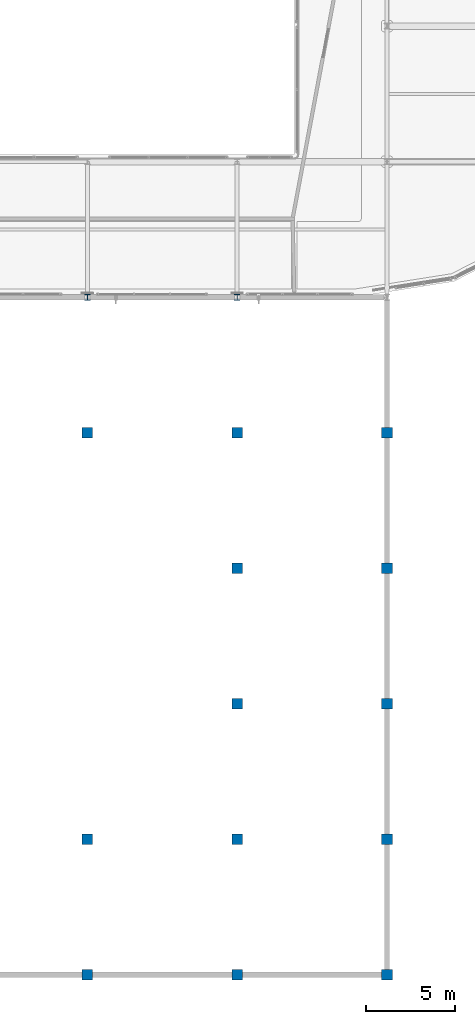
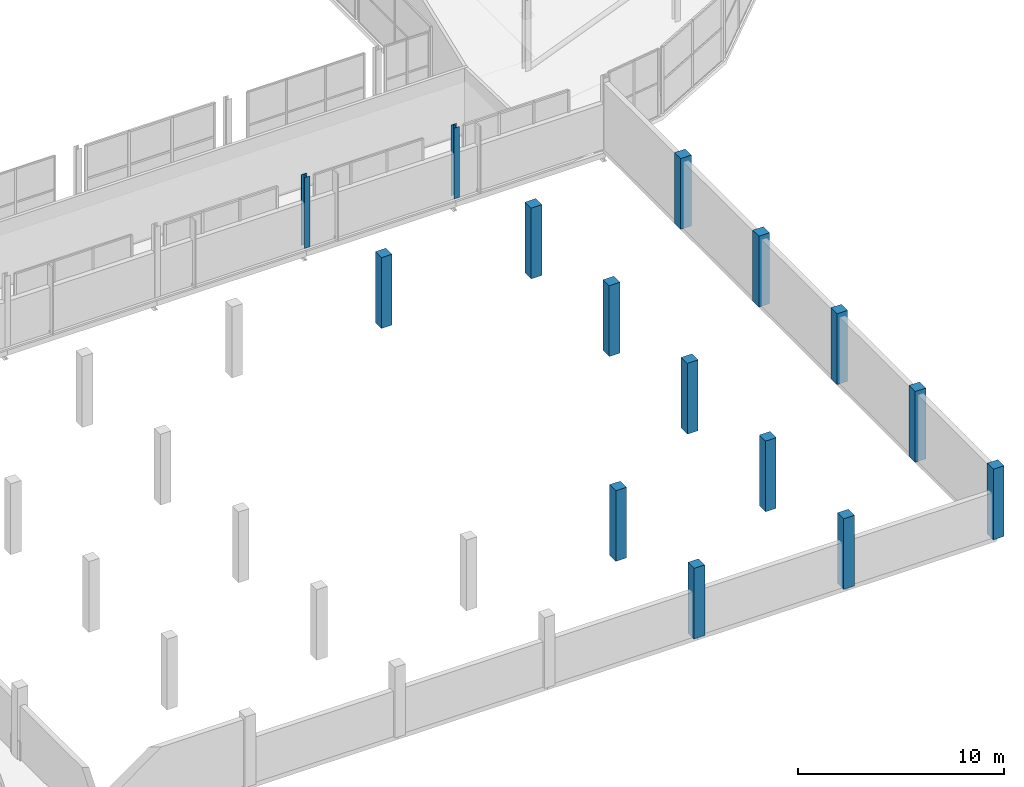
# One storey, part 10 of 151: 15 columns.
"""IFC4 building model written with IfcOpenShell, lengths in metres."""

from ifc_helpers import new_model, si_unit, direction, frame, origin, origin_2d, place, context, subcontext, project, spatial, rectangle, i_section, extrude, material, material_profile, profile_set, type_object, element, save


model = new_model("IFC4")

# Units and contexts
model_context = context("Model", 3, precision=1e-05, world=origin(), true_north=direction((0.0, 1.0)))
body_context = subcontext(model_context, "Body", "Model", "MODEL_VIEW")
ifc_project = project(units=[si_unit("LENGTHUNIT", "METRE"), si_unit("AREAUNIT", "SQUARE_METRE"), si_unit("VOLUMEUNIT", "CUBIC_METRE"), si_unit("PLANEANGLEUNIT", "RADIAN"), si_unit("MASSUNIT", "GRAM", prefix="KILO")], contexts=[model_context])

# Site, building, storey
site_placement = place(None, origin())
site = spatial("IfcSite", under=ifc_project, at=site_placement, CompositionType="ELEMENT")
building_placement = place(site_placement, origin())
building = spatial("IfcBuilding", under=site, at=building_placement, Name="Zuvorla Pavilion Media Centre", CompositionType="ELEMENT")
storey_placement = place(building_placement, frame((0.0, 0.0, 13.800048828125)))
storey = spatial("IfcBuildingStorey", under=building, at=storey_placement, Name="L03", CompositionType="ELEMENT", Elevation=13.800048828125)

# Columns
ifc_material_1 = material(Name="Concrete C40/50", Category="concrete")
ifc_material_profile_1 = material_profile(ifc_material_1, rectangle(XDim=0.60009765625, YDim=0.60009765625, at=origin_2d()), Name="RC 600x600")
ifc_profile_set_1 = profile_set([ifc_material_profile_1], Name="Concrete C40/50")
column_type_1 = type_object("IfcColumnType", Name="COL-RC600", PredefinedType="COLUMN", material=ifc_profile_set_1)
for number, where, z_axis, x_axis, name in (
    (1, (142.39990234375, 6.0, 0.0), (0.0, 0.0, 1.0), (1.0, 0.0, 0.0), "L03 column C03 84"),
    (2, (150.800048828125, 6.0, 0.0), (0.0, 0.0, 1.0), (1.0, 0.0, 0.0), "L03 column C03 89"),
    (3, (159.199951171875, 6.0, 0.0), (0.0, 0.0, 1.0), (1.0, 0.0, 0.0), "L03 column C03 94"),
    (4, (142.39990234375, 13.60009765625, 0.0), (0.0, 0.0, 1.0), (1.0, 0.0, 0.0), "L03 column C03 182"),
    (5, (150.800048828125, 13.60009765625, 0.0), (0.0, 0.0, 1.0), (1.0, 0.0, 0.0), "L03 column C03 187"),
    (6, (159.199951171875, 13.60009765625, 0.0), (0.0, 0.0, 1.0), (1.0, 0.0, 0.0), "L03 column C03 192"),
    (7, (150.800048828125, 21.199951171875, 0.0), (0.0, 0.0, 1.0), (1.0, 0.0, 0.0), "L03 column C03 278"),
    (8, (159.199951171875, 21.199951171875, 0.0), (0.0, 0.0, 1.0), (1.0, 0.0, 0.0), "L03 column C03 283"),
    (9, (150.800048828125, 28.800048828125, 0.0), (0.0, 0.0, 1.0), (1.0, 0.0, 0.0), "L03 column C03 373"),
    (10, (159.199951171875, 28.800048828125, 0.0), (0.0, 0.0, 1.0), (1.0, 0.0, 0.0), "L03 column C03 378"),
    (11, (142.39990234375, 36.39990234375, 0.0), (0.0, 0.0, 1.0), (1.0, 0.0, 0.0), "L03 column C03 468"),
    (12, (150.800048828125, 36.39990234375, 0.0), (0.0, 0.0, 1.0), (1.0, 0.0, 0.0), "L03 column C03 473"),
    (13, (159.199951171875, 36.39990234375, 0.0), (0.0, 0.0, 1.0), (1.0, 0.0, 0.0), "L03 column C03 478"),
):
    element("IfcColumn", number, at=place(storey_placement, frame(where, z_axis=z_axis, x_axis=x_axis)), inside=storey, type_object=column_type_1, Name=name, PredefinedType="COLUMN", context=body_context, shape_type="SweptSolid", body=[
        extrude(rectangle(XDim=0.60009765625, YDim=0.60009765625, at=origin_2d()), origin(), (0.0, 0.0, 1.0), 4.199951171875),
    ])
ifc_material_2 = material(Name="Steel S355", Category="steel")
ifc_material_profile_2 = material_profile(ifc_material_2, i_section(OverallWidth=0.30908203125, OverallDepth=0.320556640625, WebThickness=0.013916015625, FlangeThickness=0.021728515625, FilletRadius=0.01513671875, at=origin_2d()), Name="UC 305x305x137")
ifc_profile_set_2 = profile_set([ifc_material_profile_2], Name="Steel S355")
column_type_2 = type_object("IfcColumnType", Name="COL-UC305", PredefinedType="COLUMN", material=ifc_profile_set_2)
for number, where, z_axis, x_axis, name in (
    (14, (142.39990234375, 44.0, 0.0), (0.0, 0.0, 1.0), (1.0, 0.0, 0.0), "L03 column C10 562"),
    (15, (150.800048828125, 44.0, 0.0), (0.0, 0.0, 1.0), (1.0, 0.0, 0.0), "L03 column C10 567"),
):
    element("IfcColumn", number, at=place(storey_placement, frame(where, z_axis=z_axis, x_axis=x_axis)), inside=storey, type_object=column_type_2, Name=name, PredefinedType="COLUMN", context=body_context, shape_type="SweptSolid", body=[
        extrude(i_section(OverallWidth=0.30908203125, OverallDepth=0.320556640625, WebThickness=0.013916015625, FlangeThickness=0.021728515625, FilletRadius=0.01513671875, at=origin_2d()), origin(), (0.0, 0.0, 1.0), 4.199951171875),
    ])

save(model, "model.ifc")
